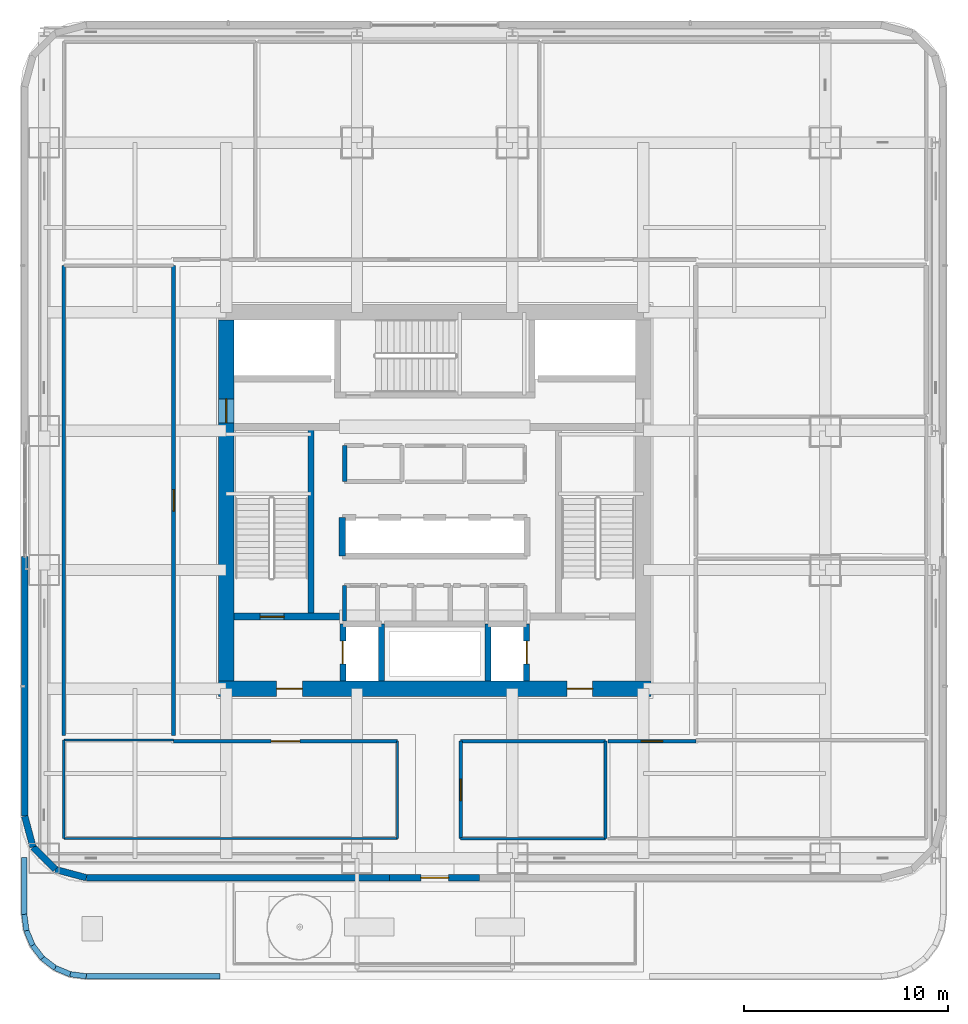
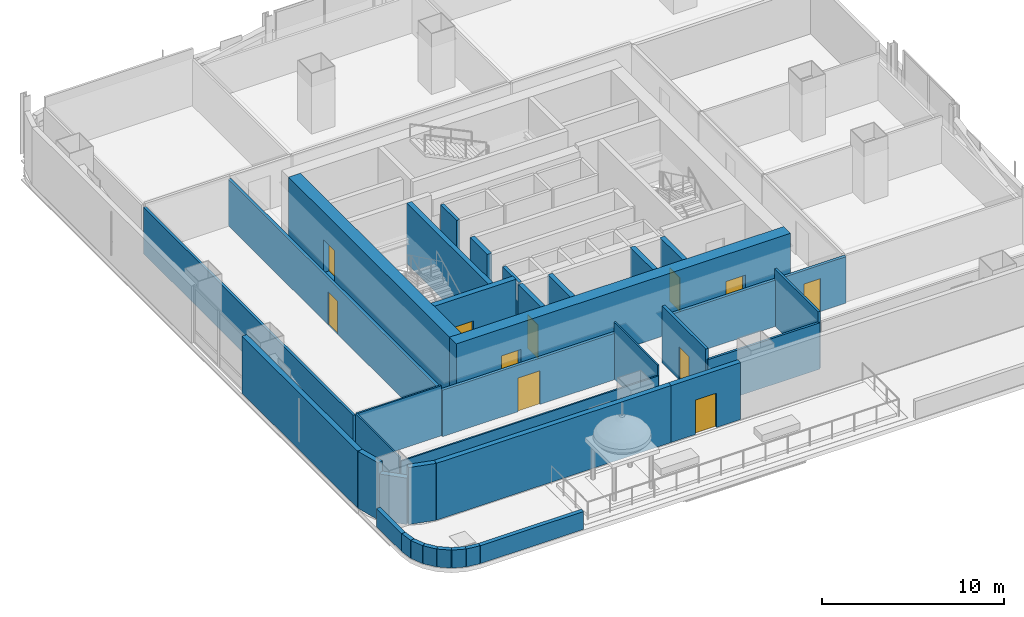
# One storey, part 11 of 28: 37 walls, 11 doors, 11 openings.
"""IFC4 building model written with IfcOpenShell, lengths in metres."""

from ifc_helpers import new_model, si_unit, direction, frame, frame_2d, origin, place, context, subcontext, project, spatial, rectangle, extrude, material, layer, layer_set, type_object, element, fill, save


model = new_model("IFC4")

# Units and contexts
model_context = context("Model", 3, precision=1e-05, world=origin(), true_north=direction((0.0, 1.0)))
body_context = subcontext(model_context, "Body", "Model", "MODEL_VIEW")
ifc_project = project(units=[si_unit("LENGTHUNIT", "METRE"), si_unit("AREAUNIT", "SQUARE_METRE"), si_unit("VOLUMEUNIT", "CUBIC_METRE"), si_unit("PLANEANGLEUNIT", "RADIAN"), si_unit("MASSUNIT", "GRAM", prefix="KILO")], contexts=[model_context])

# Site, building, storey
site_placement = place(None, origin())
site = spatial("IfcSite", under=ifc_project, at=site_placement, CompositionType="ELEMENT")
building_placement = place(site_placement, origin())
building = spatial("IfcBuilding", under=site, at=building_placement, Name="Punatoya Terracotta Tower", CompositionType="ELEMENT")
storey_placement = place(building_placement, frame((0.0, 0.0, 93.0)))
storey = spatial("IfcBuildingStorey", under=building, at=storey_placement, Name="L21", CompositionType="ELEMENT", Elevation=93.0)

# Wall, openings, doors
ifc_material_1 = material(Name="Concrete C60/75", Category="concrete")
ifc_layer_1 = layer(ifc_material_1, 0.75)
ifc_layer_set_1 = layer_set([ifc_layer_1], Name="Concrete C60/75")
wall_type_1 = type_object("IfcWallType", Name="WL-COR-750", PredefinedType="SHEAR", material=ifc_layer_set_1)
wall_1_placement = place(storey_placement, frame((10.574951171875, -9.199951171875, 0.0), z_axis=(0.0, 0.0, 1.0), x_axis=(-1.0, 0.0, 0.0)))
wall_1 = element("IfcWall", 1, at=wall_1_placement, inside=storey, type_object=wall_type_1, Name="L21 Core Shear Wall S", PredefinedType="SHEAR", context=body_context, shape_type="SweptSolid", body=[
    extrude(rectangle(XDim=21.14990234375, YDim=0.75, at=frame_2d((10.574951171875, 0.0))), origin(), (0.0, 0.0, 1.0), 4.050048828125),
])
opening_1_placement = place(wall_1_placement, frame((2.85009765625, 0.0, 0.0)))
opening_1 = element("IfcOpeningElement", 2, at=opening_1_placement, cuts=wall_1, Name="Opening FD-L1", PredefinedType="OPENING", context=body_context, shape_type="SweptSolid", body=[
    extrude(rectangle(XDim=1.25, YDim=2.25, at=frame_2d((0.625, 1.125))), frame((0.0, 0.385009765625, 0.0), z_axis=(0.0, -1.0, 0.0), x_axis=(1.0, 0.0, 0.0)), (0.0, 0.0, 1.0), 0.77001953125),
])
opening_2_placement = place(wall_1_placement, frame((17.050048828125, 0.0, 0.0)))
opening_2 = element("IfcOpeningElement", 3, at=opening_2_placement, cuts=wall_1, Name="Opening FD-L1", PredefinedType="OPENING", context=body_context, shape_type="SweptSolid", body=[
    extrude(rectangle(XDim=1.25, YDim=2.25, at=frame_2d((0.625, 1.125))), frame((0.0, 0.385009765625, 0.0), z_axis=(0.0, -1.0, 0.0), x_axis=(1.0, 0.0, 0.0)), (0.0, 0.0, 1.0), 0.77001953125),
])
ifc_material_2 = material(Name="Galvanised Steel Smokeproof Fire Door", Category="steel")
door_type_1 = type_object("IfcDoorType", Name="DR-FFL-1250", OperationType="NOTDEFINED", PredefinedType="DOOR", material=ifc_material_2)
door_1_placement = place(opening_1_placement, origin())
door_1 = element("IfcDoor", 4, at=door_1_placement, inside=storey, type_object=door_type_1, Name="L21 East Firefighting Lobby Corridor Fire Door", OperationType="SINGLE_SWING_LEFT", OverallHeight=2.25, OverallWidth=1.25, PredefinedType="DOOR", context=body_context, shape_type="SweptSolid", body=[
    extrude(rectangle(XDim=1.25, YDim=2.25, at=frame_2d((0.625, 1.125))), frame((0.0, 0.02490234375, 0.0), z_axis=(0.0, -1.0, 0.0), x_axis=(1.0, 0.0, 0.0)), (0.0, 0.0, 1.0), 0.050048828125),
])
fill(opening_1, door_1)
door_2_placement = place(opening_2_placement, origin())
door_2 = element("IfcDoor", 5, at=door_2_placement, inside=storey, type_object=door_type_1, Name="L21 West Firefighting Lobby Corridor Fire Door", OperationType="SINGLE_SWING_RIGHT", OverallHeight=2.25, OverallWidth=1.25, PredefinedType="DOOR", context=body_context, shape_type="SweptSolid", body=[
    extrude(rectangle(XDim=1.25, YDim=2.25, at=frame_2d((0.625, 1.125))), frame((0.0, 0.02490234375, 0.0), z_axis=(0.0, -1.0, 0.0), x_axis=(1.0, 0.0, 0.0)), (0.0, 0.0, 1.0), 0.050048828125),
])
fill(opening_2, door_2)

# Wall, opening, door
wall_2_placement = place(storey_placement, frame((-10.199951171875, -8.824951171875, 0.0), z_axis=(0.0, 0.0, 1.0), x_axis=(0.0, 1.0, 0.0)))
wall_2 = element("IfcWall", 6, at=wall_2_placement, inside=storey, type_object=wall_type_1, Name="L21 Core Shear Wall W", PredefinedType="SHEAR", context=body_context, shape_type="SweptSolid", body=[
    extrude(rectangle(XDim=17.64990234375, YDim=0.75, at=frame_2d((8.824951171875, 0.0))), origin(), (0.0, 0.0, 1.0), 4.050048828125),
])
opening_3_placement = place(wall_2_placement, frame((12.614990234375, 0.0, 0.0)))
opening_3 = element("IfcOpeningElement", 7, at=opening_3_placement, cuts=wall_2, Name="Opening SD-01", PredefinedType="OPENING", context=body_context, shape_type="SweptSolid", body=[
    extrude(rectangle(XDim=1.179931640625, YDim=2.199951171875, at=frame_2d((0.58984375, 1.10009765625))), frame((0.0, 0.385009765625, 0.0), z_axis=(0.0, -1.0, 0.0), x_axis=(1.0, 0.0, 0.0)), (0.0, 0.0, 1.0), 0.77001953125),
])
ifc_material_3 = material(Name="Galvanised Steel Pressurized Stair Fire Door", Category="steel")
door_type_2 = type_object("IfcDoorType", Name="DR-STR-1180", OperationType="NOTDEFINED", PredefinedType="DOOR", material=ifc_material_3)
door_3_placement = place(opening_3_placement, origin())
door_3 = element("IfcDoor", 8, at=door_3_placement, inside=storey, type_object=door_type_2, Name="L21 Central Lift Lobby West Fire Door", OperationType="SINGLE_SWING_LEFT", OverallHeight=2.199951171875, OverallWidth=1.179931640625, PredefinedType="DOOR", context=body_context, shape_type="SweptSolid", body=[
    extrude(rectangle(XDim=1.179931640625, YDim=2.199951171875, at=frame_2d((0.58984375, 1.10009765625))), frame((0.0, 0.02490234375, 0.0), z_axis=(0.0, -1.0, 0.0), x_axis=(1.0, 0.0, 0.0)), (0.0, 0.0, 1.0), 0.050048828125),
])
fill(opening_3, door_3)

ifc_material_4 = material(Name="Gypsum Fireboard + Steel Stud", Category="steel")
ifc_layer_2 = layer(ifc_material_4, 0.179931640625)
ifc_layer_set_2 = layer_set([ifc_layer_2], Name="Gypsum Fireboard + Steel Stud")
wall_type_2 = type_object("IfcWallType", Name="WL-CORR-180", PredefinedType="PARTITIONING", material=ifc_layer_set_2)
wall_3_placement = place(storey_placement, frame((1.27001953125, -16.5400390625, 0.0), z_axis=(0.0, 0.0, 1.0), x_axis=(0.0, 1.0, 0.0)))
wall_3 = element("IfcWall", 9, at=wall_3_placement, inside=storey, type_object=wall_type_2, Name="L21 Client Media Salon Partition 22", PredefinedType="PARTITIONING", context=body_context, shape_type="SweptSolid", body=[
    extrude(rectangle(XDim=4.77001953125, YDim=0.179931640625, at=frame_2d((2.385009765625, 0.0))), origin(), (0.0, 0.0, 1.0), 3.81005859375),
])
opening_4_placement = place(wall_3_placement, frame((1.860107421875, 0.0, 0.0)))
opening_4 = element("IfcOpeningElement", 10, at=opening_4_placement, cuts=wall_3, Name="Opening OD-01", PredefinedType="OPENING", context=body_context, shape_type="SweptSolid", body=[
    extrude(rectangle(XDim=1.050048828125, YDim=2.199951171875, at=frame_2d((0.52490234375, 1.10009765625))), frame((0.0, 0.099853515625, 0.0), z_axis=(0.0, -1.0, 0.0), x_axis=(1.0, 0.0, 0.0)), (0.0, 0.0, 1.0), 0.199951171875),
])
ifc_material_5 = material(Name="Bengal Teak Solid-Core Leaf")
door_type_3 = type_object("IfcDoorType", Name="DR-OFF-1050", OperationType="NOTDEFINED", PredefinedType="DOOR", material=ifc_material_5)
door_4_placement = place(opening_4_placement, origin())
door_4 = element("IfcDoor", 11, at=door_4_placement, inside=storey, type_object=door_type_3, Name="L21 Client Media Salon Door", OperationType="SINGLE_SWING_LEFT", OverallHeight=2.199951171875, OverallWidth=1.050048828125, PredefinedType="DOOR", context=body_context, shape_type="SweptSolid", body=[
    extrude(rectangle(XDim=1.050048828125, YDim=2.199951171875, at=frame_2d((0.52490234375, 1.10009765625))), frame((0.0, 0.02490234375, 0.0), z_axis=(0.0, -1.0, 0.0), x_axis=(1.0, 0.0, 0.0)), (0.0, 0.0, 1.0), 0.050048828125),
])
fill(opening_4, door_4)

# Wall
wall_4_placement = place(storey_placement, frame((1.27001953125, -11.77001953125, 0.0), z_axis=(0.0, 0.0, 1.0), x_axis=(1.0, 0.0, 0.0)))
element("IfcWall", 12, at=wall_4_placement, inside=storey, type_object=wall_type_2, Name="L21 Client Media Salon Partition 23", PredefinedType="PARTITIONING", context=body_context, shape_type="SweptSolid", body=[
    extrude(rectangle(XDim=7.0888671875, YDim=0.179931640625, at=frame_2d((3.54443359375, 0.0))), origin(), (0.0, 0.0, 1.0), 3.10400390625),
])

# Wall, opening, door
wall_5_placement = place(storey_placement, frame((-12.77001953125, -11.77001953125, 0.0), z_axis=(0.0, 0.0, 1.0), x_axis=(1.0, 0.0, 0.0)))
wall_5 = element("IfcWall", 13, at=wall_5_placement, inside=storey, type_object=wall_type_2, Name="L21 Media Broadcast Studio Partition 26", PredefinedType="PARTITIONING", context=body_context, shape_type="SweptSolid", body=[
    extrude(rectangle(XDim=10.943115234375, YDim=0.179931640625, at=frame_2d((5.4716796875, 0.0))), origin(), (0.0, 0.0, 1.0), 3.10400390625),
])
opening_5_placement = place(wall_5_placement, frame((4.771484375, 0.0, 0.0)))
opening_5 = element("IfcOpeningElement", 14, at=opening_5_placement, cuts=wall_5, Name="Opening BD-01", PredefinedType="OPENING", context=body_context, shape_type="SweptSolid", body=[
    extrude(rectangle(XDim=1.39990234375, YDim=2.25, at=frame_2d((0.699951171875, 1.125))), frame((0.0, 0.099853515625, 0.0), z_axis=(0.0, -1.0, 0.0), x_axis=(1.0, 0.0, 0.0)), (0.0, 0.0, 1.0), 0.199951171875),
])
ifc_material_6 = material(Name="Bengal Teak Acoustic Leaf")
door_type_4 = type_object("IfcDoorType", Name="DR-BRD-1400", OperationType="NOTDEFINED", PredefinedType="DOOR", material=ifc_material_6)
door_5_placement = place(opening_5_placement, origin())
door_5 = element("IfcDoor", 15, at=door_5_placement, inside=storey, type_object=door_type_4, Name="L21 Media Broadcast Studio Door", OperationType="SINGLE_SWING_RIGHT", OverallHeight=2.25, OverallWidth=1.39990234375, PredefinedType="DOOR", context=body_context, shape_type="SweptSolid", body=[
    extrude(rectangle(XDim=1.39990234375, YDim=2.25, at=frame_2d((0.699951171875, 1.125))), frame((0.0, 0.02490234375, 0.0), z_axis=(0.0, -1.0, 0.0), x_axis=(1.0, 0.0, 0.0)), (0.0, 0.0, 1.0), 0.050048828125),
])
fill(opening_5, door_5)

wall_6_placement = place(storey_placement, frame((8.47900390625, -11.77001953125, 0.0), z_axis=(0.0, 0.0, 1.0), x_axis=(1.0, 0.0, 0.0)))
wall_6 = element("IfcWall", 16, at=wall_6_placement, inside=storey, type_object=wall_type_2, Name="L21 Graphic Design Workplace Partition 31", PredefinedType="PARTITIONING", context=body_context, shape_type="SweptSolid", body=[
    extrude(rectangle(XDim=4.291015625, YDim=0.179931640625, at=frame_2d((2.1455078125, 0.0))), origin(), (0.0, 0.0, 1.0), 3.10400390625),
])
opening_6_placement = place(wall_6_placement, frame((1.62060546875, 0.0, 0.0)))
opening_6 = element("IfcOpeningElement", 17, at=opening_6_placement, cuts=wall_6, Name="Opening OD-01", PredefinedType="OPENING", context=body_context, shape_type="SweptSolid", body=[
    extrude(rectangle(XDim=1.050048828125, YDim=2.199951171875, at=frame_2d((0.52490234375, 1.10009765625))), frame((0.0, 0.099853515625, 0.0), z_axis=(0.0, -1.0, 0.0), x_axis=(1.0, 0.0, 0.0)), (0.0, 0.0, 1.0), 0.199951171875),
])
door_6_placement = place(opening_6_placement, origin())
door_6 = element("IfcDoor", 18, at=door_6_placement, inside=storey, type_object=door_type_3, Name="L21 Graphic Design Workplace Door", OperationType="SINGLE_SWING_LEFT", OverallHeight=2.199951171875, OverallWidth=1.050048828125, PredefinedType="DOOR", context=body_context, shape_type="SweptSolid", body=[
    extrude(rectangle(XDim=1.050048828125, YDim=2.199951171875, at=frame_2d((0.52490234375, 1.10009765625))), frame((0.0, 0.02490234375, 0.0), z_axis=(0.0, -1.0, 0.0), x_axis=(1.0, 0.0, 0.0)), (0.0, 0.0, 1.0), 0.050048828125),
])
fill(opening_6, door_6)

wall_7_placement = place(storey_placement, frame((-12.77001953125, 11.489990234375, 0.0), z_axis=(0.0, 0.0, 1.0), x_axis=(0.0, -1.0, 0.0)))
wall_7 = element("IfcWall", 19, at=wall_7_placement, inside=storey, type_object=wall_type_2, Name="L21 Hospitality Tea Pantry Partition 40", PredefinedType="PARTITIONING", context=body_context, shape_type="SweptSolid", body=[
    extrude(rectangle(XDim=22.97998046875, YDim=0.179931640625, at=frame_2d((11.489990234375, 0.0))), origin(), (0.0, 0.0, 1.0), 3.10400390625),
])
opening_7_placement = place(wall_7_placement, frame((10.965087890625, 0.0, 0.0)))
opening_7 = element("IfcOpeningElement", 20, at=opening_7_placement, cuts=wall_7, Name="Opening OD-01", PredefinedType="OPENING", context=body_context, shape_type="SweptSolid", body=[
    extrude(rectangle(XDim=1.050048828125, YDim=2.199951171875, at=frame_2d((0.52490234375, 1.10009765625))), frame((0.0, 0.099853515625, 0.0), z_axis=(0.0, -1.0, 0.0), x_axis=(1.0, 0.0, 0.0)), (0.0, 0.0, 1.0), 0.199951171875),
])
door_7_placement = place(opening_7_placement, origin())
door_7 = element("IfcDoor", 21, at=door_7_placement, inside=storey, type_object=door_type_3, Name="L21 Hospitality Tea Pantry Door", OperationType="SINGLE_SWING_LEFT", OverallHeight=2.199951171875, OverallWidth=1.050048828125, PredefinedType="DOOR", context=body_context, shape_type="SweptSolid", body=[
    extrude(rectangle(XDim=1.050048828125, YDim=2.199951171875, at=frame_2d((0.52490234375, 1.10009765625))), frame((0.0, 0.02490234375, 0.0), z_axis=(0.0, -1.0, 0.0), x_axis=(1.0, 0.0, 0.0)), (0.0, 0.0, 1.0), 0.050048828125),
])
fill(opening_7, door_7)

# Wall
ifc_material_7 = material(Name="Precast concrete C40/50", Category="concrete")
ifc_layer_3 = layer(ifc_material_7, 0.320068359375)
ifc_layer_set_3 = layer_set([ifc_layer_3], Name="Precast concrete C40/50")
wall_type_3 = type_object("IfcWallType", Name="WL-EXT-320", PredefinedType="SOLIDWALL", material=ifc_layer_set_3)
wall_8_placement = place(storey_placement, frame((-17.036865234375, -18.449951171875, 0.0), z_axis=(0.0, 0.0, 1.0), x_axis=(1.0, 0.0, 0.0)))
element("IfcWall", 22, at=wall_8_placement, inside=storey, type_object=wall_type_3, Name="L21 Terracotta Braced Facade Wall S", PredefinedType="SOLIDWALL", context=body_context, shape_type="SweptSolid", body=[
    extrude(rectangle(XDim=14.8369140625, YDim=0.320068359375, at=frame_2d((7.41845703125, 0.0))), origin(), (0.0, 0.0, 1.0), 3.81005859375),
])

# Wall, opening, door
wall_9_placement = place(storey_placement, frame((-2.199951171875, -18.449951171875, 0.0), z_axis=(0.0, 0.0, 1.0), x_axis=(1.0, 0.0, 0.0)))
wall_9 = element("IfcWall", 23, at=wall_9_placement, inside=storey, type_object=wall_type_3, Name="L21 Sky-Terrace Portal Wall S", PredefinedType="SOLIDWALL", context=body_context, shape_type="SweptSolid", body=[
    extrude(rectangle(XDim=4.39990234375, YDim=0.320068359375, at=frame_2d((2.199951171875, 0.0))), origin(), (0.0, 0.0, 1.0), 3.81005859375),
])
opening_8_placement = place(wall_9_placement, frame((1.52490234375, 0.0, 0.0)))
opening_8 = element("IfcOpeningElement", 24, at=opening_8_placement, cuts=wall_9, Name="Opening TD-02", PredefinedType="OPENING", context=body_context, shape_type="SweptSolid", body=[
    extrude(rectangle(XDim=1.35009765625, YDim=2.300048828125, at=frame_2d((0.675048828125, 1.14990234375))), frame((0.0, 0.169921875, 0.0), z_axis=(0.0, -1.0, 0.0), x_axis=(1.0, 0.0, 0.0)), (0.0, 0.0, 1.0), 0.340087890625),
])
ifc_material_8 = material(Name="Aluminium 6063-T6 + Low-E Glass", Category="aluminium")
door_type_5 = type_object("IfcDoorType", Name="DR-TER-1350", OperationType="NOTDEFINED", PredefinedType="DOOR", material=ifc_material_8)
door_8_placement = place(opening_8_placement, origin())
door_8 = element("IfcDoor", 25, at=door_8_placement, inside=storey, type_object=door_type_5, Name="L21 Sky-Terrace Access Door S1", OperationType="SINGLE_SWING_LEFT", OverallHeight=2.300048828125, OverallWidth=1.35009765625, PredefinedType="DOOR", context=body_context, shape_type="SweptSolid", body=[
    extrude(rectangle(XDim=1.35009765625, YDim=2.300048828125, at=frame_2d((0.675048828125, 1.14990234375))), frame((0.0, 0.02490234375, 0.0), z_axis=(0.0, -1.0, 0.0), x_axis=(1.0, 0.0, 0.0)), (0.0, 0.0, 1.0), 0.050048828125),
])
fill(opening_8, door_8)

# Walls
wall_10_placement = place(storey_placement, frame((-20.050048828125, -2.75, 0.0), z_axis=(0.0, 0.0, 1.0), x_axis=(0.0, -1.0, 0.0)))
element("IfcWall", 26, at=wall_10_placement, inside=storey, type_object=wall_type_3, Name="L21 Terracotta Braced Facade Wall W2", PredefinedType="SOLIDWALL", context=body_context, shape_type="SweptSolid", body=[
    extrude(rectangle(XDim=12.68701171875, YDim=0.320068359375, at=frame_2d((6.343505859375, 0.0))), origin(), (0.0, 0.0, 1.0), 3.81005859375),
])
wall_11_placement = place(storey_placement, frame((-20.050048828125, -15.43701171875, 0.0), z_axis=(0.0, 0.0, 1.0), x_axis=(0.257847112249, -0.966185730957, 0.0)))
element("IfcWall", 27, at=wall_11_placement, inside=storey, type_object=wall_type_3, Name="L21 Rounded Terracotta Corner Pier 14", PredefinedType="SOLIDWALL", context=body_context, shape_type="SweptSolid", body=[
    extrude(rectangle(XDim=1.565185546875, YDim=0.320068359375, at=frame_2d((0.78271484375, 0.0))), origin(), (0.0, 0.0, 1.0), 3.81005859375),
])
wall_12_placement = place(storey_placement, frame((-19.646484375, -16.94921875, 0.0), z_axis=(0.0, 0.0, 1.0), x_axis=(0.707106781187, -0.707106781187, 0.0)))
element("IfcWall", 28, at=wall_12_placement, inside=storey, type_object=wall_type_3, Name="L21 Rounded Terracotta Corner Pier 15", PredefinedType="SOLIDWALL", context=body_context, shape_type="SweptSolid", body=[
    extrude(rectangle(XDim=1.552001953125, YDim=0.320068359375, at=frame_2d((0.77587890625, 0.0))), origin(), (0.0, 0.0, 1.0), 3.10400390625),
])
wall_13_placement = place(storey_placement, frame((-18.549072265625, -18.046630859375, 0.0), z_axis=(0.0, 0.0, 1.0), x_axis=(0.966224582397, -0.257701486942, 0.0)))
element("IfcWall", 29, at=wall_13_placement, inside=storey, type_object=wall_type_3, Name="L21 Rounded Terracotta Corner Pier 16", PredefinedType="SOLIDWALL", context=body_context, shape_type="SweptSolid", body=[
    extrude(rectangle(XDim=1.565185546875, YDim=0.320068359375, at=frame_2d((0.78271484375, 0.0))), origin(), (0.0, 0.0, 1.0), 3.81005859375),
])
ifc_material_9 = material(Name="Aluminium Framed Acoustic Glass Partition", Category="aluminium")
ifc_layer_4 = layer(ifc_material_9, 0.10009765625)
ifc_layer_set_4 = layer_set([ifc_layer_4], Name="Aluminium Framed Acoustic Glass Partition")
wall_type_4 = type_object("IfcWallType", Name="WL-GLZ-100", PredefinedType="PARTITIONING", material=ifc_layer_set_4)
wall_14_placement = place(storey_placement, frame((-1.826904296875, -11.77001953125, 0.0), z_axis=(0.0, 0.0, 1.0), x_axis=(0.0, -1.0, 0.0)))
element("IfcWall", 30, at=wall_14_placement, inside=storey, type_object=wall_type_4, Name="L21 Media Broadcast Studio Partition 27", PredefinedType="PARTITIONING", context=body_context, shape_type="SweptSolid", body=[
    extrude(rectangle(XDim=4.77001953125, YDim=0.10009765625, at=frame_2d((2.385009765625, 0.0))), origin(), (0.0, 0.0, 1.0), 3.81005859375),
])
wall_15_placement = place(storey_placement, frame((-1.826904296875, -16.5400390625, 0.0), z_axis=(0.0, 0.0, 1.0), x_axis=(-1.0, 0.0, 0.0)))
element("IfcWall", 31, at=wall_15_placement, inside=storey, type_object=wall_type_4, Name="L21 Media Broadcast Studio Partition 28", PredefinedType="PARTITIONING", context=body_context, shape_type="SweptSolid", body=[
    extrude(rectangle(XDim=16.31298828125, YDim=0.10009765625, at=frame_2d((8.156494140625, 0.0))), origin(), (0.0, 0.0, 1.0), 3.10400390625),
])
wall_16_placement = place(storey_placement, frame((-18.139892578125, -16.5400390625, 0.0), z_axis=(0.0, 0.0, 1.0), x_axis=(0.0, 1.0, 0.0)))
element("IfcWall", 32, at=wall_16_placement, inside=storey, type_object=wall_type_4, Name="L21 Media Broadcast Studio Partition 29", PredefinedType="PARTITIONING", context=body_context, shape_type="SweptSolid", body=[
    extrude(rectangle(XDim=4.830078125, YDim=0.10009765625, at=frame_2d((2.4150390625, 0.0))), origin(), (0.0, 0.0, 1.0), 3.35400390625),
])
wall_17_placement = place(storey_placement, frame((-18.139892578125, -11.7099609375, 0.0), z_axis=(0.0, 0.0, 1.0), x_axis=(1.0, 0.0, 0.0)))
element("IfcWall", 33, at=wall_17_placement, inside=storey, type_object=wall_type_4, Name="L21 Media Broadcast Studio Partition 30", PredefinedType="PARTITIONING", context=body_context, shape_type="SweptSolid", body=[
    extrude(rectangle(XDim=5.369873046875, YDim=0.10009765625, at=frame_2d((2.68505859375, 0.0))), origin(), (0.0, 0.0, 1.0), 3.35400390625),
])
ifc_material_10 = material(Name="Concrete C40/50", Category="concrete")
ifc_layer_5 = layer(ifc_material_10, 0.199951171875)
ifc_layer_set_5 = layer_set([ifc_layer_5], Name="Concrete C40/50")
wall_type_5 = type_object("IfcWallType", Name="WL-INT-200", PredefinedType="SOLIDWALL", material=ifc_layer_set_5)
wall_18_placement = place(storey_placement, frame((-4.419921875, -4.159912109375, 0.0), z_axis=(0.0, 0.0, 1.0), x_axis=(0.0, -1.0, 0.0)))
element("IfcWall", 34, at=wall_18_placement, inside=storey, type_object=wall_type_5, Name="L21 Core Tea Pantry Partition 03", PredefinedType="SOLIDWALL", context=body_context, shape_type="SweptSolid", body=[
    extrude(rectangle(XDim=1.739990234375, YDim=0.199951171875, at=frame_2d((0.8701171875, 0.0))), origin(), (0.0, 0.0, 1.0), 3.81005859375),
])
wall_19_placement = place(storey_placement, frame((-4.39990234375, 2.679931640625, 0.0), z_axis=(0.0, 0.0, 1.0), x_axis=(0.0, -1.0, 0.0)))
element("IfcWall", 35, at=wall_19_placement, inside=storey, type_object=wall_type_5, Name="L21 Left Core Store Partition 14", PredefinedType="SOLIDWALL", context=body_context, shape_type="SweptSolid", body=[
    extrude(rectangle(XDim=1.760009765625, YDim=0.199951171875, at=frame_2d((0.8798828125, 0.0))), origin(), (0.0, 0.0, 1.0), 3.81005859375),
])
ifc_material_11 = material(Name="Acoustic Gypsum + Steel Stud", Category="steel")
ifc_layer_6 = layer(ifc_material_11, 0.139892578125)
ifc_layer_set_6 = layer_set([ifc_layer_6], Name="Acoustic Gypsum + Steel Stud")
wall_type_6 = type_object("IfcWallType", Name="WL-OFF-140", PredefinedType="PARTITIONING", material=ifc_layer_set_6)
wall_20_placement = place(storey_placement, frame((8.35888671875, -11.77001953125, 0.0), z_axis=(0.0, 0.0, 1.0), x_axis=(0.0, -1.0, 0.0)))
element("IfcWall", 36, at=wall_20_placement, inside=storey, type_object=wall_type_6, Name="L21 Client Media Salon Partition 24", PredefinedType="PARTITIONING", context=body_context, shape_type="SweptSolid", body=[
    extrude(rectangle(XDim=4.77001953125, YDim=0.139892578125, at=frame_2d((2.385009765625, 0.0))), origin(), (0.0, 0.0, 1.0), 3.81005859375),
])
wall_21_placement = place(storey_placement, frame((8.35888671875, -16.5400390625, 0.0), z_axis=(0.0, 0.0, 1.0), x_axis=(-1.0, 0.0, 0.0)))
element("IfcWall", 37, at=wall_21_placement, inside=storey, type_object=wall_type_6, Name="L21 Client Media Salon Partition 25", PredefinedType="PARTITIONING", context=body_context, shape_type="SweptSolid", body=[
    extrude(rectangle(XDim=7.0888671875, YDim=0.139892578125, at=frame_2d((3.54443359375, 0.0))), origin(), (0.0, 0.0, 1.0), 3.10400390625),
])
ifc_layer_7 = layer(ifc_material_7, 0.260009765625)
ifc_layer_set_7 = layer_set([ifc_layer_7], Name="Precast concrete C40/50")
wall_type_7 = type_object("IfcWallType", Name="WL-PAR-260", PredefinedType="PARAPET", material=ifc_layer_set_7)
wall_22_placement = place(storey_placement, frame((-20.070068359375, -17.465087890625, 0.0), z_axis=(0.0, 0.0, 1.0), x_axis=(0.0, -1.0, 0.0)))
element("IfcWall", 38, at=wall_22_placement, inside=storey, type_object=wall_type_7, Name="L21 Roof Parapet Wall PAR-L21-RF-08", PredefinedType="PARAPET", context=body_context, shape_type="SweptSolid", body=[
    extrude(rectangle(XDim=2.773193359375, YDim=0.260009765625, at=frame_2d((1.38671875, 0.0))), origin(), (0.0, 0.0, 1.0), 1.199951171875),
])
wall_23_placement = place(storey_placement, frame((-20.070068359375, -20.23828125, 0.0), z_axis=(0.0, 0.0, 1.0), x_axis=(0.130644014367, -0.991429342672, 0.0)))
element("IfcWall", 39, at=wall_23_placement, inside=storey, type_object=wall_type_7, Name="L21 Roof Parapet Wall PAR-L21-RF-09", PredefinedType="PARAPET", context=body_context, shape_type="SweptSolid", body=[
    extrude(rectangle(XDim=0.7998046875, YDim=0.260009765625, at=frame_2d((0.39990234375, 0.0))), origin(), (0.0, 0.0, 1.0), 1.199951171875),
])
wall_24_placement = place(storey_placement, frame((-19.965576171875, -21.03125, 0.0), z_axis=(0.0, 0.0, 1.0), x_axis=(0.38263454961, -0.923899778896, 0.0)))
element("IfcWall", 40, at=wall_24_placement, inside=storey, type_object=wall_type_7, Name="L21 Roof Parapet Wall PAR-L21-RF-10", PredefinedType="PARAPET", context=body_context, shape_type="SweptSolid", body=[
    extrude(rectangle(XDim=0.7880859375, YDim=0.260009765625, at=frame_2d((0.39404296875, 0.0))), origin(), (0.0, 0.0, 1.0), 1.199951171875),
])
wall_25_placement = place(storey_placement, frame((-19.6640625, -21.75927734375, 0.0), z_axis=(0.0, 0.0, 1.0), x_axis=(0.608886809997, -0.793257116332, 0.0)))
element("IfcWall", 41, at=wall_25_placement, inside=storey, type_object=wall_type_7, Name="L21 Roof Parapet Wall PAR-L21-RF-11", PredefinedType="PARAPET", context=body_context, shape_type="SweptSolid", body=[
    extrude(rectangle(XDim=0.787841796875, YDim=0.260009765625, at=frame_2d((0.39404296875, 0.0))), origin(), (0.0, 0.0, 1.0), 1.199951171875),
])
wall_26_placement = place(storey_placement, frame((-19.184326171875, -22.38427734375, 0.0), z_axis=(0.0, 0.0, 1.0), x_axis=(0.793371954706, -0.608737169464, 0.0)))
element("IfcWall", 42, at=wall_26_placement, inside=storey, type_object=wall_type_7, Name="L21 Roof Parapet Wall PAR-L21-RF-12", PredefinedType="PARAPET", context=body_context, shape_type="SweptSolid", body=[
    extrude(rectangle(XDim=0.7880859375, YDim=0.260009765625, at=frame_2d((0.39404296875, 0.0))), origin(), (0.0, 0.0, 1.0), 1.199951171875),
])
wall_27_placement = place(storey_placement, frame((-18.55908203125, -22.864013671875, 0.0), z_axis=(0.0, 0.0, 1.0), x_axis=(0.923854398102, -0.38274410656, 0.0)))
element("IfcWall", 43, at=wall_27_placement, inside=storey, type_object=wall_type_7, Name="L21 Roof Parapet Wall PAR-L21-RF-13", PredefinedType="PARAPET", context=body_context, shape_type="SweptSolid", body=[
    extrude(rectangle(XDim=0.787841796875, YDim=0.260009765625, at=frame_2d((0.39404296875, 0.0))), origin(), (0.0, 0.0, 1.0), 1.199951171875),
])
wall_28_placement = place(storey_placement, frame((-17.831298828125, -23.16552734375, 0.0), z_axis=(0.0, 0.0, 1.0), x_axis=(0.991434550152, -0.130604489832, 0.0)))
element("IfcWall", 44, at=wall_28_placement, inside=storey, type_object=wall_type_7, Name="L21 Roof Parapet Wall PAR-L21-RF-14", PredefinedType="PARAPET", context=body_context, shape_type="SweptSolid", body=[
    extrude(rectangle(XDim=0.800048828125, YDim=0.260009765625, at=frame_2d((0.39990234375, 0.0))), origin(), (0.0, 0.0, 1.0), 1.199951171875),
])
wall_29_placement = place(storey_placement, frame((-17.0380859375, -23.27001953125, 0.0), z_axis=(0.0, 0.0, 1.0), x_axis=(1.0, 0.0, 0.0)))
element("IfcWall", 45, at=wall_29_placement, inside=storey, type_object=wall_type_7, Name="L21 Roof Parapet Wall PAR-L21-RF-15", PredefinedType="PARAPET", context=body_context, shape_type="SweptSolid", body=[
    extrude(rectangle(XDim=6.5380859375, YDim=0.260009765625, at=frame_2d((3.26904296875, 0.0))), origin(), (0.0, 0.0, 1.0), 1.199951171875),
])
ifc_layer_8 = layer(ifc_material_10, 0.300048828125)
ifc_layer_set_8 = layer_set([ifc_layer_8], Name="Concrete C40/50")
wall_type_8 = type_object("IfcWallType", Name="WL-SHF-300", PredefinedType="SOLIDWALL", material=ifc_layer_set_8)
wall_30_placement = place(storey_placement, frame((-6.050048828125, -5.5, 0.0), z_axis=(0.0, 0.0, 1.0), x_axis=(0.0, 1.0, 0.0)))
element("IfcWall", 46, at=wall_30_placement, inside=storey, type_object=wall_type_8, Name="L21 Structural Stair Shaft Wall SW-ST1-E", PredefinedType="SOLIDWALL", context=body_context, shape_type="SweptSolid", body=[
    extrude(rectangle(XDim=8.949951171875, YDim=0.300048828125, at=frame_2d((4.47509765625, 0.0))), origin(), (0.0, 0.0, 1.0), 4.050048828125),
])

# Wall, opening, door
wall_31_placement = place(storey_placement, frame((-4.489990234375, -8.820068359375, 0.0), z_axis=(0.0, 0.0, 1.0), x_axis=(0.0, 1.0, 0.0)))
wall_31 = element("IfcWall", 47, at=wall_31_placement, inside=storey, type_object=wall_type_8, Name="L21 FFL-1 Front Hoistway Wall", PredefinedType="SOLIDWALL", context=body_context, shape_type="SweptSolid", body=[
    extrude(rectangle(XDim=2.77001953125, YDim=0.300048828125, at=frame_2d((1.385009765625, 0.0))), origin(), (0.0, 0.0, 1.0), 3.81005859375),
])
opening_9_placement = place(wall_31_placement, frame((0.824951171875, 0.0, 0.0)))
opening_9 = element("IfcOpeningElement", 48, at=opening_9_placement, cuts=wall_31, Name="Opening LD-02", PredefinedType="OPENING", context=body_context, shape_type="SweptSolid", body=[
    extrude(rectangle(XDim=1.1201171875, YDim=2.25, at=frame_2d((0.56005859375, 1.125))), frame((0.0, 0.159912109375, 0.0), z_axis=(0.0, -1.0, 0.0), x_axis=(1.0, 0.0, 0.0)), (0.0, 0.0, 1.0), 0.320068359375),
])
ifc_material_12 = material(Name="Stainless Steel Lift Landing Door", Category="steel")
door_type_6 = type_object("IfcDoorType", Name="DR-LND-1120", OperationType="NOTDEFINED", PredefinedType="DOOR", material=ifc_material_12)
door_9_placement = place(opening_9_placement, origin())
door_9 = element("IfcDoor", 49, at=door_9_placement, inside=storey, type_object=door_type_6, Name="L21 Firefighting Lift FFL-1 Sliding Landing Door", OperationType="SLIDING_TO_LEFT", OverallHeight=2.25, OverallWidth=1.1201171875, PredefinedType="DOOR", context=body_context, shape_type="SweptSolid", body=[
    extrude(rectangle(XDim=1.1201171875, YDim=2.25, at=frame_2d((0.56005859375, 1.125))), frame((0.0, 0.02490234375, 0.0), z_axis=(0.0, -1.0, 0.0), x_axis=(1.0, 0.0, 0.0)), (0.0, 0.0, 1.0), 0.050048828125),
])
fill(opening_9, door_9)

# Wall
wall_32_placement = place(storey_placement, frame((-2.610107421875, -8.820068359375, 0.0), z_axis=(0.0, 0.0, 1.0), x_axis=(0.0, 1.0, 0.0)))
element("IfcWall", 50, at=wall_32_placement, inside=storey, type_object=wall_type_8, Name="L21 FFL-1 Rear Hoistway Wall", PredefinedType="SOLIDWALL", context=body_context, shape_type="SweptSolid", body=[
    extrude(rectangle(XDim=2.77001953125, YDim=0.300048828125, at=frame_2d((1.385009765625, 0.0))), origin(), (0.0, 0.0, 1.0), 3.81005859375),
])

# Wall, opening, door
wall_33_placement = place(storey_placement, frame((4.489990234375, -8.820068359375, 0.0), z_axis=(0.0, 0.0, 1.0), x_axis=(0.0, 1.0, 0.0)))
wall_33 = element("IfcWall", 51, at=wall_33_placement, inside=storey, type_object=wall_type_8, Name="L21 FFL-2 Front Hoistway Wall", PredefinedType="SOLIDWALL", context=body_context, shape_type="SweptSolid", body=[
    extrude(rectangle(XDim=2.77001953125, YDim=0.300048828125, at=frame_2d((1.385009765625, 0.0))), origin(), (0.0, 0.0, 1.0), 3.81005859375),
])
opening_10_placement = place(wall_33_placement, frame((0.824951171875, 0.0, 0.0)))
opening_10 = element("IfcOpeningElement", 52, at=opening_10_placement, cuts=wall_33, Name="Opening LD-02", PredefinedType="OPENING", context=body_context, shape_type="SweptSolid", body=[
    extrude(rectangle(XDim=1.1201171875, YDim=2.25, at=frame_2d((0.56005859375, 1.125))), frame((0.0, 0.159912109375, 0.0), z_axis=(0.0, -1.0, 0.0), x_axis=(1.0, 0.0, 0.0)), (0.0, 0.0, 1.0), 0.320068359375),
])
door_10_placement = place(opening_10_placement, origin())
door_10 = element("IfcDoor", 53, at=door_10_placement, inside=storey, type_object=door_type_6, Name="L21 Firefighting Lift FFL-2 Sliding Landing Door", OperationType="SLIDING_TO_RIGHT", OverallHeight=2.25, OverallWidth=1.1201171875, PredefinedType="DOOR", context=body_context, shape_type="SweptSolid", body=[
    extrude(rectangle(XDim=1.1201171875, YDim=2.25, at=frame_2d((0.56005859375, 1.125))), frame((0.0, 0.02490234375, 0.0), z_axis=(0.0, -1.0, 0.0), x_axis=(1.0, 0.0, 0.0)), (0.0, 0.0, 1.0), 0.050048828125),
])
fill(opening_10, door_10)

# Walls
wall_34_placement = place(storey_placement, frame((2.610107421875, -8.820068359375, 0.0), z_axis=(0.0, 0.0, 1.0), x_axis=(0.0, 1.0, 0.0)))
element("IfcWall", 54, at=wall_34_placement, inside=storey, type_object=wall_type_8, Name="L21 FFL-2 Rear Hoistway Wall", PredefinedType="SOLIDWALL", context=body_context, shape_type="SweptSolid", body=[
    extrude(rectangle(XDim=2.77001953125, YDim=0.300048828125, at=frame_2d((1.385009765625, 0.0))), origin(), (0.0, 0.0, 1.0), 3.81005859375),
])
wall_35_placement = place(storey_placement, frame((-4.52001953125, -2.719970703125, 0.0), z_axis=(0.0, 0.0, 1.0), x_axis=(0.0, 1.0, 0.0)))
element("IfcWall", 55, at=wall_35_placement, inside=storey, type_object=wall_type_8, Name="L21 South Lift Bank West End Wall", PredefinedType="SOLIDWALL", context=body_context, shape_type="SweptSolid", body=[
    extrude(rectangle(XDim=1.8798828125, YDim=0.300048828125, at=frame_2d((0.93994140625, 0.0))), origin(), (0.0, 0.0, 1.0), 3.81005859375),
])

# Wall, opening, door
ifc_material_13 = material(Name="Concrete C50/60", Category="concrete")
ifc_layer_9 = layer(ifc_material_13, 0.35009765625)
ifc_layer_set_9 = layer_set([ifc_layer_9], Name="Concrete C50/60")
wall_type_9 = type_object("IfcWallType", Name="WL-SHF-350", PredefinedType="SOLIDWALL", material=ifc_layer_set_9)
wall_36_placement = place(storey_placement, frame((-9.824951171875, -5.679931640625, 0.0), z_axis=(0.0, 0.0, 1.0), x_axis=(1.0, 0.0, 0.0)))
wall_36 = element("IfcWall", 56, at=wall_36_placement, inside=storey, type_object=wall_type_9, Name="L21 Core Web Wall CSW-L", PredefinedType="SOLIDWALL", context=body_context, shape_type="SweptSolid", body=[
    extrude(rectangle(XDim=5.175048828125, YDim=0.35009765625, at=frame_2d((2.58740234375, 0.0))), origin(), (0.0, 0.0, 1.0), 4.050048828125),
])
opening_11_placement = place(wall_36_placement, frame((1.284912109375, 0.0, 0.0)))
opening_11 = element("IfcOpeningElement", 57, at=opening_11_placement, cuts=wall_36, Name="Opening SD-01", PredefinedType="OPENING", context=body_context, shape_type="SweptSolid", body=[
    extrude(rectangle(XDim=1.179931640625, YDim=2.199951171875, at=frame_2d((0.58984375, 1.10009765625))), frame((0.0, 0.18505859375, 0.0), z_axis=(0.0, -1.0, 0.0), x_axis=(1.0, 0.0, 0.0)), (0.0, 0.0, 1.0), 0.3701171875),
])
door_11_placement = place(opening_11_placement, origin())
door_11 = element("IfcDoor", 58, at=door_11_placement, inside=storey, type_object=door_type_2, Name="L21 Stair ST-1 Smokeproof Lobby Fire Door", OperationType="SINGLE_SWING_LEFT", OverallHeight=2.199951171875, OverallWidth=1.179931640625, PredefinedType="DOOR", context=body_context, shape_type="SweptSolid", body=[
    extrude(rectangle(XDim=1.179931640625, YDim=2.199951171875, at=frame_2d((0.58984375, 1.10009765625))), frame((0.0, 0.02490234375, 0.0), z_axis=(0.0, -1.0, 0.0), x_axis=(1.0, 0.0, 0.0)), (0.0, 0.0, 1.0), 0.050048828125),
])
fill(opening_11, door_11)

# Wall
ifc_material_14 = material(Name="Masonry Blockwork + Ceramic Tile", Category="masonry")
ifc_layer_10 = layer(ifc_material_14, 0.159912109375)
ifc_layer_set_10 = layer_set([ifc_layer_10], Name="Masonry Blockwork + Ceramic Tile")
wall_type_10 = type_object("IfcWallType", Name="WL-WET-160", PredefinedType="PARTITIONING", material=ifc_layer_set_10)
wall_37_placement = place(storey_placement, frame((-18.139892578125, -11.489990234375, 0.0), z_axis=(0.0, 0.0, 1.0), x_axis=(0.0, 1.0, 0.0)))
element("IfcWall", 59, at=wall_37_placement, inside=storey, type_object=wall_type_10, Name="L21 Hospitality Tea Pantry Partition 38", PredefinedType="PARTITIONING", context=body_context, shape_type="SweptSolid", body=[
    extrude(rectangle(XDim=22.97998046875, YDim=0.159912109375, at=frame_2d((11.489990234375, 0.0))), origin(), (0.0, 0.0, 1.0), 3.10400390625),
])

save(model, "model.ifc")
